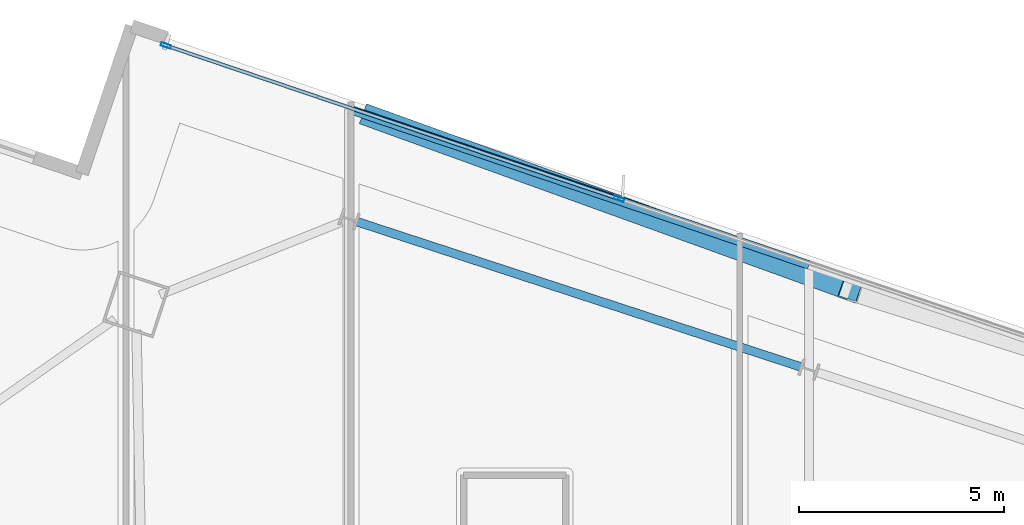
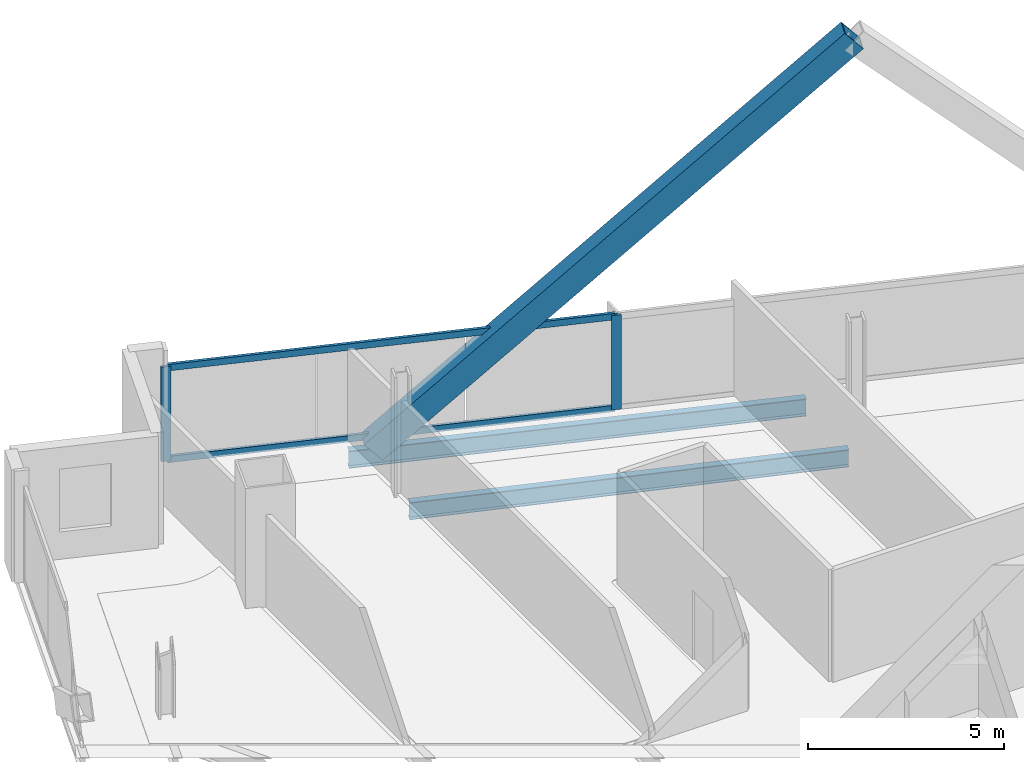
# One storey, part 16 of 29: 5 members, 2 beams, 1 element without a shape of its own.
"""IFC4 building model written with IfcOpenShell, lengths in metres."""

from ifc_helpers import new_model, si_unit, direction, frame, origin, origin_2d, place, context, subcontext, project, spatial, hollow_rectangle, i_section, extrude, material, material_profile, profile_set, type_object, element, aggregate, save


model = new_model("IFC4")

# Units and contexts
model_context = context("Model", 3, precision=1e-05, world=origin(), true_north=direction((0.0, 1.0)))
body_context = subcontext(model_context, "Body", "Model", "MODEL_VIEW")
ifc_project = project(units=[si_unit("LENGTHUNIT", "METRE"), si_unit("AREAUNIT", "SQUARE_METRE"), si_unit("VOLUMEUNIT", "CUBIC_METRE"), si_unit("PLANEANGLEUNIT", "RADIAN"), si_unit("MASSUNIT", "GRAM", prefix="KILO")], contexts=[model_context])

# Site, building, storey
site_placement = place(None, origin())
site = spatial("IfcSite", under=ifc_project, at=site_placement, CompositionType="ELEMENT")
building_placement = place(site_placement, origin())
building = spatial("IfcBuilding", under=site, at=building_placement, Name="Haldenkirk Collegiate Tower", CompositionType="ELEMENT")
storey_placement = place(building_placement, frame((0.0, 0.0, 267.449951171875)))
storey = spatial("IfcBuildingStorey", under=building, at=storey_placement, Name="L67", CompositionType="ELEMENT", Elevation=267.449951171875)

# Beams
ifc_material_1 = material(Name="Steel ASTM A992 Grade 50", Category="steel")
ifc_material_profile_1 = material_profile(ifc_material_1, i_section(OverallWidth=0.2099609375, OverallDepth=0.537109375, WebThickness=0.010986328125, FlangeThickness=0.017333984375, at=origin_2d()), Name="W21X68")
ifc_profile_set_1 = profile_set([ifc_material_profile_1], Name="Steel ASTM A992 Grade 50")
beam_type = type_object("IfcBeamType", Name="BM-SPANDREL-W21X68", PredefinedType="SPANDREL", material=ifc_profile_set_1)
beam_1_placement = place(storey_placement, frame((42.99755859375, 45.54296875, -0.538330078125), z_axis=(-0.950408846531, 0.311003254701, 0.0), x_axis=(-0.311003254701, -0.950408846531, 0.0)))
element("IfcBeam", 1, at=beam_1_placement, inside=storey, type_object=beam_type, Name="L67 perimeter spandrel beam 07", PredefinedType="SPANDREL", context=body_context, shape_type="SweptSolid", body=[
    extrude(i_section(OverallWidth=0.2099609375, OverallDepth=0.537109375, WebThickness=0.010986328125, FlangeThickness=0.017333984375, at=origin_2d()), origin(), (0.0, 0.0, 1.0), 11.421875),
])
beam_2_placement = place(storey_placement, frame((43.18994140625, 48.0380859375, -0.538330078125), z_axis=(-0.947204146738, 0.320631103297, 0.0), x_axis=(-0.320631103297, -0.947204146738, 0.0)))
element("IfcBeam", 2, at=beam_2_placement, inside=storey, type_object=beam_type, Name="L67 outer facade edge beam 2B", PredefinedType="SPANDREL", context=body_context, shape_type="SweptSolid", body=[
    extrude(i_section(OverallWidth=0.2099609375, OverallDepth=0.537109375, WebThickness=0.010986328125, FlangeThickness=0.017333984375, at=origin_2d()), origin(), (0.0, 0.0, 1.0), 11.866943359375),
])

# Curtain wall, members
ifc_material_2 = material(Name="Anodised architectural bronze aluminium", Category="aluminium")
curtain_wall_type = type_object("IfcCurtainWallType", Name="CW-SYS1B-CONVEX-HI", PredefinedType="USERDEFINED", material=ifc_material_2)
curtain_wall_placement = place(storey_placement, origin())
curtain_wall = element("IfcCurtainWall", 3, at=curtain_wall_placement, inside=storey, type_object=curtain_wall_type, Name="L67 Upper tower high-wind convex bronze unitised curtain wall", ObjectType="UNITISED CURTAIN WALL", PredefinedType="USERDEFINED")
ifc_material_profile_2 = material_profile(ifc_material_2, hollow_rectangle(XDim=0.0849609375, YDim=0.25, WallThickness=0.0048828125, at=origin_2d()), Name="CW-MUL-1B")
ifc_profile_set_2 = profile_set([ifc_material_profile_2], Name="Anodised architectural bronze aluminium")
member_type_1 = type_object("IfcMemberType", Name="CW-MUL-1B", PredefinedType="MULLION", material=ifc_profile_set_2)
member_1_placement = place(storey_placement, frame((27.47705078125, 53.39892578125, 0.0), z_axis=(0.0, 0.0, 1.0), x_axis=(0.320613585306, 0.947210076444, 0.0)))
member_1 = element("IfcMember", 4, at=member_1_placement, type_object=member_type_1, Name="CW-1B mullion 1", PredefinedType="MULLION", context=body_context, shape_type="SweptSolid", body=[
    extrude(hollow_rectangle(XDim=0.0849609375, YDim=0.25, WallThickness=0.0048828125, at=origin_2d()), origin(), (0.0, 0.0, 1.0), 2.93798828125),
])
member_2_placement = place(storey_placement, frame((38.55078125, 49.650634765625, 0.0), z_axis=(0.0, 0.0, 1.0), x_axis=(0.320613585306, 0.947210076444, 0.0)))
member_2 = element("IfcMember", 5, at=member_2_placement, type_object=member_type_1, Name="CW-1B mullion 2", PredefinedType="MULLION", context=body_context, shape_type="SweptSolid", body=[
    extrude(hollow_rectangle(XDim=0.0849609375, YDim=0.25, WallThickness=0.0048828125, at=origin_2d()), origin(), (0.0, 0.0, 1.0), 2.93798828125),
])
ifc_material_profile_3 = material_profile(ifc_material_2, hollow_rectangle(XDim=0.0849609375, YDim=0.199951171875, WallThickness=0.0048828125, at=origin_2d()), Name="CW-TRN-1B")
ifc_profile_set_3 = profile_set([ifc_material_profile_3], Name="Anodised architectural bronze aluminium")
member_type_2 = type_object("IfcMemberType", Name="CW-TRN-1B", PredefinedType="USERDEFINED", material=ifc_profile_set_3)
member_3_placement = place(storey_placement, frame((27.517333984375, 53.38525390625, 0.04248046875), z_axis=(0.947211153823, -0.320610402315, 0.0), x_axis=(0.320610402315, 0.947211153823, 0.0)))
member_3 = element("IfcMember", 6, at=member_3_placement, type_object=member_type_2, Name="CW-1B transom 1.1", ObjectType="TRANSOM", PredefinedType="USERDEFINED", context=body_context, shape_type="SweptSolid", body=[
    extrude(hollow_rectangle(XDim=0.0849609375, YDim=0.199951171875, WallThickness=0.0048828125, at=origin_2d()), origin(), (0.0, 0.0, 1.0), 11.605712890625),
])
member_4_placement = place(storey_placement, frame((27.517333984375, 53.38525390625, 2.8955078125), z_axis=(0.947211153823, -0.320610402315, 0.0), x_axis=(0.320610402315, 0.947211153823, 0.0)))
member_4 = element("IfcMember", 7, at=member_4_placement, type_object=member_type_2, Name="CW-1B transom 1.2", ObjectType="TRANSOM", PredefinedType="USERDEFINED", context=body_context, shape_type="SweptSolid", body=[
    extrude(hollow_rectangle(XDim=0.0849609375, YDim=0.199951171875, WallThickness=0.0048828125, at=origin_2d()), origin(), (0.0, 0.0, 1.0), 11.605712890625),
])
aggregate(curtain_wall, [member_1, member_2, member_3, member_4])

# Member
ifc_material_3 = material(Name="Steel ASTM A572 Grade 50", Category="steel")
ifc_material_profile_4 = material_profile(ifc_material_3, hollow_rectangle(XDim=0.52001953125, YDim=0.719970703125, WallThickness=0.035888671875, at=origin_2d()), Name="BOX720X520X36")
ifc_profile_set_4 = profile_set([ifc_material_profile_4], Name="Steel ASTM A572 Grade 50")
member_type_3 = type_object("IfcMemberType", Name="MBR-MEGABRACE-BOX720X520X36", PredefinedType="BRACE", material=ifc_profile_set_4)
member_5_placement = place(storey_placement, frame((32.517822265625, 51.650390625, -0.280029296875), z_axis=(0.697193738495, -0.251982470277, 0.671137635419), x_axis=(0.339904670116, 0.940459895601, 0.0)))
element("IfcMember", 8, at=member_5_placement, inside=storey, type_object=member_type_3, Name="Perimeter Mega Brace Z5 L67-L69 ER", PredefinedType="BRACE", context=body_context, shape_type="SweptSolid", body=[
    extrude(hollow_rectangle(XDim=0.52001953125, YDim=0.719970703125, WallThickness=0.035888671875, at=origin_2d()), origin(), (0.0, 0.0, 1.0), 16.7626953125),
])

save(model, "model.ifc")
